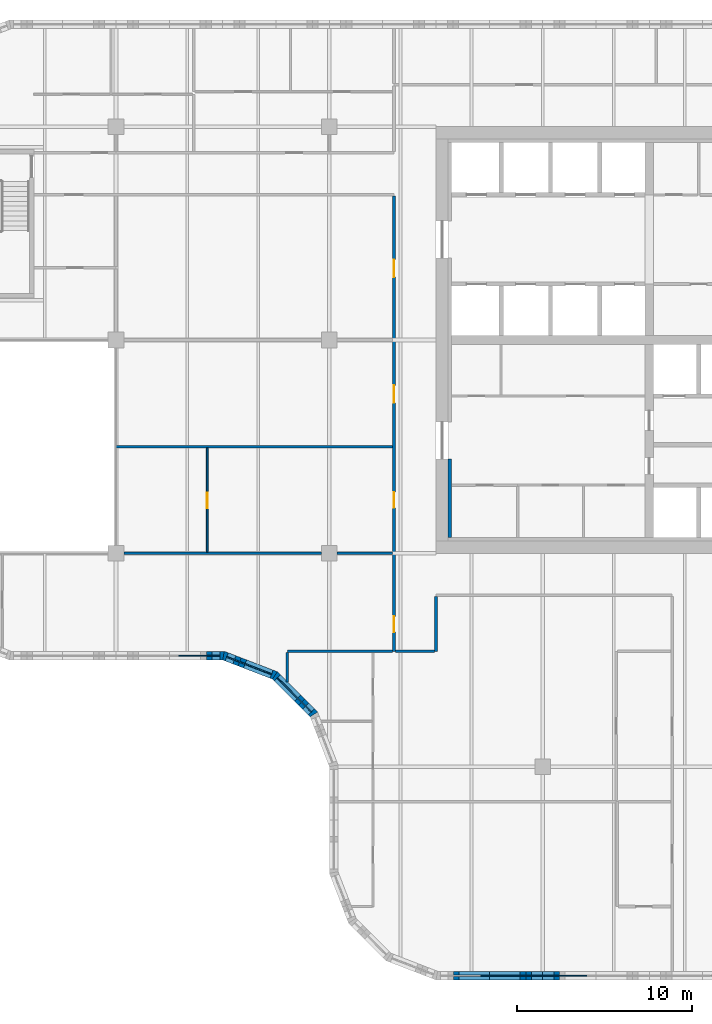
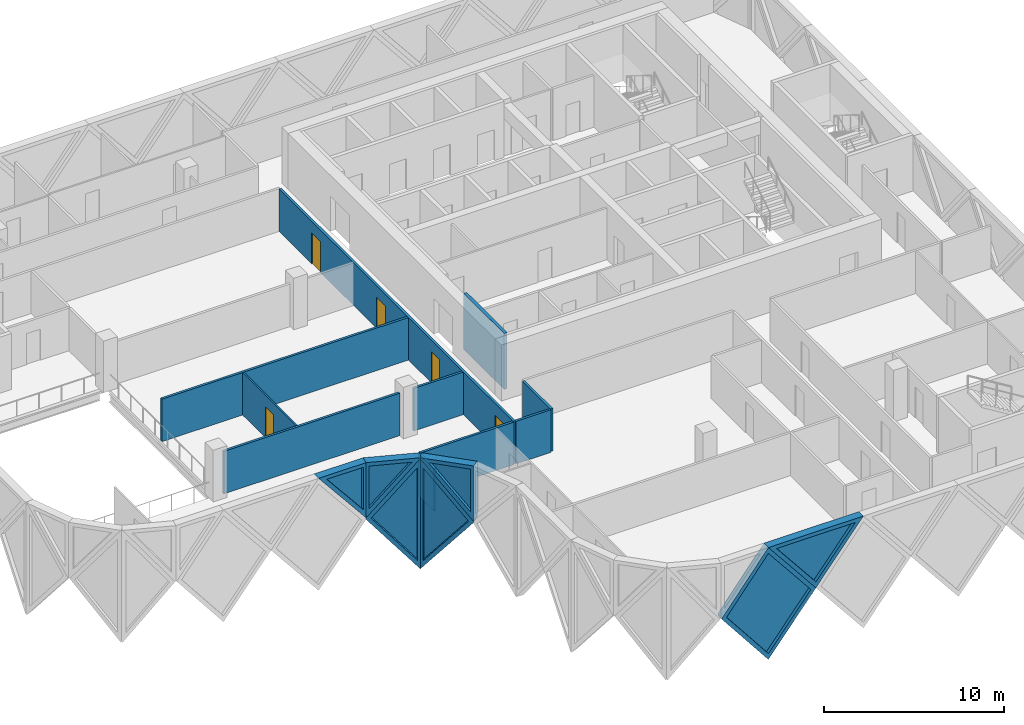
# One storey, part 5 of 15: 17 walls, 7 plates, 5 doors, 12 openings.
"""IFC4 building model written with IfcOpenShell, lengths in metres."""

from ifc_helpers import new_model, si_unit, direction, frame, frame_2d, origin, place, context, subcontext, project, spatial, polyline, rectangle, outline, extrude, faceted_brep, source, transform, mapped, material, layer, layer_set, type_object, element, fill, save


model = new_model("IFC4")

# Units and contexts
model_context = context("Model", 3, precision=1e-05, world=origin(), true_north=direction((0.0, 1.0)))
body_context = subcontext(model_context, "Body", "Model", "MODEL_VIEW")
ifc_project = project(units=[si_unit("LENGTHUNIT", "METRE"), si_unit("AREAUNIT", "SQUARE_METRE"), si_unit("VOLUMEUNIT", "CUBIC_METRE"), si_unit("PLANEANGLEUNIT", "RADIAN"), si_unit("MASSUNIT", "GRAM", prefix="KILO")], contexts=[model_context])

# Site, building, storey
site_placement = place(None, origin())
site = spatial("IfcSite", under=ifc_project, at=site_placement, CompositionType="ELEMENT")
building_placement = place(site_placement, origin())
building = spatial("IfcBuilding", under=site, at=building_placement, Name="Tessera Gate Towers", CompositionType="ELEMENT")
storey_placement = place(building_placement, frame((0.0, 0.0, 146.800048828125)))
storey = spatial("IfcBuildingStorey", under=building, at=storey_placement, Name="L36", CompositionType="ELEMENT", Elevation=146.800048828125)

# Wall
ifc_material_1 = material(Name="Concrete C60/75", Category="concrete")
ifc_layer_1 = layer(ifc_material_1, 0.199951171875)
ifc_layer_set_1 = layer_set([ifc_layer_1], Name="CORE WALL THICKENING 200")
wall_type_1 = type_object("IfcWallType", Name="CORE WALL THICKENING 200", PredefinedType="SOLIDWALL", material=ifc_layer_set_1)
wall_1_placement = place(storey_placement, frame((31.300048828125, 25.300048828125, 0.0), z_axis=(0.0, 0.0, 1.0), x_axis=(0.0, 1.0, 0.0)))
element("IfcWall", 1, at=wall_1_placement, inside=storey, type_object=wall_type_1, Name="Core wall thickening W L36", PredefinedType="SOLIDWALL", context=body_context, shape_type="SweptSolid", body=[
    extrude(rectangle(XDim=4.5, YDim=0.199951171875, at=frame_2d((2.25, 0.0))), origin(), (0.0, 0.0, 1.0), 3.800048828125),
])

# Wall, openings, doors
ifc_material_2 = material(Name="Gypsum board on steel studs, mineral wool", Category="steel")
ifc_layer_2 = layer(ifc_material_2, 0.14990234375)
ifc_layer_set_2 = layer_set([ifc_layer_2], Name="CORRIDOR WALL 150")
wall_type_2 = type_object("IfcWallType", Name="CORRIDOR WALL 150", PredefinedType="PARTITIONING", material=ifc_layer_set_2)
wall_2_placement = place(storey_placement, frame((28.10009765625, 18.800048828125, 0.0), z_axis=(0.0, 0.0, 1.0), x_axis=(0.0, 1.0, 0.0)))
wall_2 = element("IfcWall", 2, at=wall_2_placement, inside=storey, type_object=wall_type_2, Name="T1-L36-PW-022", PredefinedType="PARTITIONING", context=body_context, shape_type="SweptSolid", body=[
    extrude(rectangle(XDim=26.02392578125, YDim=0.14990234375, at=frame_2d((13.011962890625, 0.0))), origin(), (0.0, 0.0, 1.0), 2.887939453125),
])
shared_shape_1 = source(origin(), body_context, "Body", "SweptSolid", [
    extrude(rectangle(XDim=0.89990234375, YDim=2.10009765625, at=frame_2d((0.449951171875, 1.050048828125))), frame((0.0, 0.0849609375, 0.0), z_axis=(0.0, -1.0, 0.0), x_axis=(1.0, 0.0, 0.0)), (0.0, 0.0, 1.0), 0.169921875),
])
opening_1_placement = place(wall_2_placement, frame((1.10009765625, 0.0, 0.0)))
opening_1 = element("IfcOpeningElement", 3, at=opening_1_placement, cuts=wall_2, Name="Opening D890FD60-A13-01", PredefinedType="OPENING", context=body_context, shape_type="MappedRepresentation", body=[
    mapped(shared_shape_1, transform((0.0, 0.0, 0.0), scale=1.0)),
])
shared_shape_2 = source(origin(), body_context, "Body", "SweptSolid", [
    extrude(rectangle(XDim=1.0, YDim=2.10009765625, at=frame_2d((0.5, 1.050048828125))), frame((0.0, 0.0849609375, 0.0), z_axis=(0.0, -1.0, 0.0), x_axis=(1.0, 0.0, 0.0)), (0.0, 0.0, 1.0), 0.169921875),
])
opening_2_placement = place(wall_2_placement, frame((14.200927734375, 0.0, 0.0)))
opening_2 = element("IfcOpeningElement", 4, at=opening_2_placement, cuts=wall_2, Name="Opening D2100FD60-A13-03", PredefinedType="OPENING", context=body_context, shape_type="MappedRepresentation", body=[
    mapped(shared_shape_2, transform((0.0, 0.0, 0.0), scale=1.0)),
])
opening_3_placement = place(wall_2_placement, frame((8.199951171875, 0.0, 0.0)))
opening_3 = element("IfcOpeningElement", 5, at=opening_3_placement, cuts=wall_2, Name="Opening D890FD60-A13-02", PredefinedType="OPENING", context=body_context, shape_type="MappedRepresentation", body=[
    mapped(shared_shape_1, transform((0.0, 0.0, 0.0), scale=1.0)),
])
opening_4_placement = place(wall_2_placement, frame((21.39990234375, 0.0, 0.0)))
opening_4 = element("IfcOpeningElement", 6, at=opening_4_placement, cuts=wall_2, Name="Opening D2100FD60-A13-04", PredefinedType="OPENING", context=body_context, shape_type="MappedRepresentation", body=[
    mapped(shared_shape_2, transform((0.0, 0.0, 0.0), scale=1.0)),
])
ifc_material_3 = material(Name="Timber door leaf in steel frame", Category="steel")
door_type_1 = type_object("IfcDoorType", Name="CORRIDOR DOOR 900 FD60", OperationType="NOTDEFINED", PredefinedType="DOOR", material=ifc_material_3)
shared_shape_3 = source(origin(), body_context, "Body", "SweptSolid", [
    extrude(rectangle(XDim=0.89990234375, YDim=2.10009765625, at=frame_2d((0.449951171875, 1.050048828125))), frame((0.0, 0.02490234375, 0.0), z_axis=(0.0, -1.0, 0.0), x_axis=(1.0, 0.0, 0.0)), (0.0, 0.0, 1.0), 0.050048828125),
])
door_1_placement = place(opening_1_placement, origin())
door_1 = element("IfcDoor", 7, at=door_1_placement, inside=storey, type_object=door_type_1, Name="T1-L36-PD-001", OperationType="SINGLE_SWING_LEFT", OverallHeight=2.10009765625, OverallWidth=0.89990234375, PredefinedType="DOOR", context=body_context, shape_type="MappedRepresentation", body=[
    mapped(shared_shape_3, transform((0.0, 0.0, 0.0), scale=1.0)),
])
fill(opening_1, door_1)
door_2_placement = place(opening_3_placement, origin())
door_2 = element("IfcDoor", 8, at=door_2_placement, inside=storey, type_object=door_type_1, Name="T1-L36-PD-016", OperationType="SINGLE_SWING_LEFT", OverallHeight=2.10009765625, OverallWidth=0.89990234375, PredefinedType="DOOR", context=body_context, shape_type="MappedRepresentation", body=[
    mapped(shared_shape_3, transform((0.0, 0.0, 0.0), scale=1.0)),
])
fill(opening_3, door_2)
ifc_material_4 = material(Name="Timber door leaf in steel frame", Category="steel")
door_type_2 = type_object("IfcDoorType", Name="TENANCY ENTRANCE DOOR 1000 FD60", OperationType="NOTDEFINED", PredefinedType="DOOR", material=ifc_material_4)
shared_shape_4 = source(origin(), body_context, "Body", "SweptSolid", [
    extrude(rectangle(XDim=1.0, YDim=2.10009765625, at=frame_2d((0.5, 1.050048828125))), frame((0.0, 0.02490234375, 0.0), z_axis=(0.0, -1.0, 0.0), x_axis=(1.0, 0.0, 0.0)), (0.0, 0.0, 1.0), 0.050048828125),
])
door_3_placement = place(opening_2_placement, origin())
door_3 = element("IfcDoor", 9, at=door_3_placement, inside=storey, type_object=door_type_2, Name="T1-L36-PD-015", OperationType="SINGLE_SWING_LEFT", OverallHeight=2.10009765625, OverallWidth=1.0, PredefinedType="DOOR", context=body_context, shape_type="MappedRepresentation", body=[
    mapped(shared_shape_4, transform((0.0, 0.0, 0.0), scale=1.0)),
])
fill(opening_2, door_3)
door_4_placement = place(opening_4_placement, origin())
door_4 = element("IfcDoor", 10, at=door_4_placement, inside=storey, type_object=door_type_2, Name="T1-L36-PD-020", OperationType="SINGLE_SWING_LEFT", OverallHeight=2.10009765625, OverallWidth=1.0, PredefinedType="DOOR", context=body_context, shape_type="MappedRepresentation", body=[
    mapped(shared_shape_4, transform((0.0, 0.0, 0.0), scale=1.0)),
])
fill(opening_4, door_4)

# Walls
wall_3_placement = place(storey_placement, frame((28.176025390625, 18.800048828125, 0.0), z_axis=(0.0, 0.0, 1.0), x_axis=(1.0, 0.0, 0.0)))
element("IfcWall", 11, at=wall_3_placement, inside=storey, type_object=wall_type_2, Name="T1-L36-PW-023", PredefinedType="PARTITIONING", context=body_context, shape_type="SweptSolid", body=[
    extrude(rectangle(XDim=2.248046875, YDim=0.14990234375, at=frame_2d((1.1240234375, 0.0))), origin(), (0.0, 0.0, 1.0), 2.887939453125),
])
wall_4_placement = place(storey_placement, frame((30.5, 18.800048828125, 0.0), z_axis=(0.0, 0.0, 1.0), x_axis=(0.0, 1.0, 0.0)))
element("IfcWall", 12, at=wall_4_placement, inside=storey, type_object=wall_type_2, Name="T1-L36-PW-024", PredefinedType="PARTITIONING", context=body_context, shape_type="SweptSolid", body=[
    extrude(rectangle(XDim=3.1240234375, YDim=0.14990234375, at=frame_2d((1.56201171875, 0.0))), origin(), (0.0, 0.0, 1.0), 2.887939453125),
])

# Wall, opening, door
ifc_material_5 = material(Name="Gypsum board on steel studs", Category="steel")
ifc_layer_3 = layer(ifc_material_5, 0.10009765625)
ifc_layer_set_3 = layer_set([ifc_layer_3], Name="PARTITION 100")
wall_type_3 = type_object("IfcWallType", Name="PARTITION 100", PredefinedType="PARTITIONING", material=ifc_layer_set_3)
wall_5_placement = place(storey_placement, frame((17.425048828125, 24.47607421875, 0.0), z_axis=(0.0, 0.0, 1.0), x_axis=(0.0, 1.0, 0.0)))
wall_5 = element("IfcWall", 13, at=wall_5_placement, inside=storey, type_object=wall_type_3, Name="T1-L36-PW-033", PredefinedType="PARTITIONING", context=body_context, shape_type="SweptSolid", body=[
    extrude(rectangle(XDim=5.947998046875, YDim=0.10009765625, at=frame_2d((2.97412109375, 0.0))), origin(), (0.0, 0.0, 1.0), 2.887939453125),
])
shared_shape_5 = source(origin(), body_context, "Body", "SweptSolid", [
    extrude(rectangle(XDim=0.89990234375, YDim=2.10009765625, at=frame_2d((0.449951171875, 1.050048828125))), frame((0.0, 0.06005859375, 0.0), z_axis=(0.0, -1.0, 0.0), x_axis=(1.0, 0.0, 0.0)), (0.0, 0.0, 1.0), 0.1201171875),
])
opening_5_placement = place(wall_5_placement, frame((2.5, 0.0, 0.0)))
opening_5 = element("IfcOpeningElement", 14, at=opening_5_placement, cuts=wall_5, Name="Opening D190-A13-08", PredefinedType="OPENING", context=body_context, shape_type="MappedRepresentation", body=[
    mapped(shared_shape_5, transform((0.0, 0.0, 0.0), scale=1.0)),
])
ifc_material_6 = material(Name="Timber door leaf in steel frame", Category="steel")
door_type_3 = type_object("IfcDoorType", Name="INTERNAL DOOR 900 NOT RATED", OperationType="NOTDEFINED", PredefinedType="DOOR", material=ifc_material_6)
door_5_placement = place(opening_5_placement, origin())
door_5 = element("IfcDoor", 15, at=door_5_placement, inside=storey, type_object=door_type_3, Name="T1-L36-PD-013", OperationType="SINGLE_SWING_LEFT", OverallHeight=2.10009765625, OverallWidth=0.89990234375, PredefinedType="DOOR", context=body_context, shape_type="MappedRepresentation", body=[
    mapped(shared_shape_3, transform((0.0, 0.0, 0.0), scale=1.0)),
])
fill(opening_5, door_5)

# Walls
ifc_material_7 = material(Name="Gypsum board on steel studs, mineral wool", Category="steel")
ifc_layer_4 = layer(ifc_material_7, 0.14990234375)
ifc_layer_set_4 = layer_set([ifc_layer_4], Name="TENANCY WALL 150")
wall_type_4 = type_object("IfcWallType", Name="TENANCY WALL 150", PredefinedType="PARTITIONING", material=ifc_layer_set_4)
wall_6_placement = place(storey_placement, frame((22.0, 17.054931640625, 0.0), z_axis=(0.0, 0.0, 1.0), x_axis=(0.0, 1.0, 0.0)))
element("IfcWall", 16, at=wall_6_placement, inside=storey, type_object=wall_type_4, Name="T1-L36-PW-020", PredefinedType="PARTITIONING", context=body_context, shape_type="SweptSolid", body=[
    extrude(rectangle(XDim=1.669189453125, YDim=0.14990234375, at=frame_2d((0.83447265625, 0.0))), origin(), (0.0, 0.0, 1.0), 2.887939453125),
])
wall_7_placement = place(storey_placement, frame((22.0, 18.800048828125, 0.0), z_axis=(0.0, 0.0, 1.0), x_axis=(1.0, 0.0, 0.0)))
element("IfcWall", 17, at=wall_7_placement, inside=storey, type_object=wall_type_4, Name="T1-L36-PW-021", PredefinedType="PARTITIONING", context=body_context, shape_type="SweptSolid", body=[
    extrude(rectangle(XDim=6.02392578125, YDim=0.14990234375, at=frame_2d((3.011962890625, 0.0))), origin(), (0.0, 0.0, 1.0), 2.887939453125),
])
wall_8_placement = place(storey_placement, frame((12.65087890625, 24.39990234375, 0.0), z_axis=(0.0, 0.0, 1.0), x_axis=(1.0, 0.0, 0.0)))
element("IfcWall", 18, at=wall_8_placement, inside=storey, type_object=wall_type_4, Name="T1-L36-PW-031", PredefinedType="PARTITIONING", context=body_context, shape_type="SweptSolid", body=[
    extrude(rectangle(XDim=11.298095703125, YDim=0.14990234375, at=frame_2d((5.64892578125, 0.0))), origin(), (0.0, 0.0, 1.0), 2.887939453125),
])
wall_9_placement = place(storey_placement, frame((24.85107421875, 24.39990234375, 0.0), z_axis=(0.0, 0.0, 1.0), x_axis=(1.0, 0.0, 0.0)))
element("IfcWall", 19, at=wall_9_placement, inside=storey, type_object=wall_type_4, Name="T1-L36-PW-032", PredefinedType="PARTITIONING", context=body_context, shape_type="SweptSolid", body=[
    extrude(rectangle(XDim=3.1728515625, YDim=0.14990234375, at=frame_2d((1.58642578125, 0.0))), origin(), (0.0, 0.0, 1.0), 2.887939453125),
])
wall_10_placement = place(storey_placement, frame((12.199951171875, 30.5, 0.0), z_axis=(0.0, 0.0, 1.0), x_axis=(1.0, 0.0, 0.0)))
element("IfcWall", 20, at=wall_10_placement, inside=storey, type_object=wall_type_4, Name="T1-L36-PW-034", PredefinedType="PARTITIONING", context=body_context, shape_type="SweptSolid", body=[
    extrude(rectangle(XDim=15.823974609375, YDim=0.14990234375, at=frame_2d((7.912109375, 0.0))), origin(), (0.0, 0.0, 1.0), 2.887939453125),
])

# Wall, opening, plate
ifc_material_8 = material(Name="Precast concrete C60/75 white", Category="concrete")
ifc_layer_5 = layer(ifc_material_8, 0.5)
ifc_layer_set_5 = layer_set([ifc_layer_5], Name="TS1 tessera")
wall_type_5 = type_object("IfcWallType", Name="TS1 tessera", PredefinedType="SOLIDWALL", material=ifc_layer_set_5)
shared_shape_6 = source(origin(), body_context, "Body", "Brep", [
    faceted_brep([(3.00341796875, -0.25, 0.0), (6.053466796875, -0.25, 3.800048828125), (3.00341796875, -0.25, 7.60009765625), (0.0, -0.25, 3.800048828125), (0.046630859375, 0.25, 3.85888671875), (3.00341796875, 0.25, 7.60009765625), (6.053466796875, 0.25, 3.800048828125), (3.00341796875, 0.25, 0.0), (0.046630859375, 0.25, 3.7412109375), (0.0, 0.0, 3.800048828125)], [[[0, 1, 2, 3]], [[4, 5, 6, 7, 8]], [[7, 6, 1, 0]], [[6, 5, 2, 1]], [[5, 4, 9, 3, 2]], [[8, 7, 0, 3, 9]], [[8, 9, 4]]]),
])
wall_11_placement = place(storey_placement, frame((30.546630859375, 0.25, -3.800048828125), z_axis=(0.0, 0.0, 1.0), x_axis=(1.0, 0.0, 0.0)))
wall_11 = element("IfcWall", 21, at=wall_11_placement, inside=storey, type_object=wall_type_5, Name="Precast tessera T1 TS1-0621", PredefinedType="SOLIDWALL", context=body_context, shape_type="MappedRepresentation", body=[
    mapped(shared_shape_6, transform((0.0, 0.0, 0.0), scale=1.0)),
])
shared_shape_7 = source(origin(), body_context, "Body", "SweptSolid", [
    extrude(outline(polyline([(3.0048828125, 0.4013671875), (5.73291015625, 3.800048828125), (3.0048828125, 7.19873046875), (0.318603515625, 3.800048828125), (3.0048828125, 0.4013671875)])), frame((0.0, 0.260009765625, 0.0), z_axis=(0.0, -1.0, 0.0), x_axis=(1.0, 0.0, 0.0)), (0.0, 0.0, 1.0), 0.52001953125),
])
opening_6_placement = place(wall_11_placement, origin())
opening_6 = element("IfcOpeningElement", 22, at=opening_6_placement, cuts=wall_11, Name="Opening T1-PL2-1269", PredefinedType="OPENING", context=body_context, shape_type="MappedRepresentation", body=[
    mapped(shared_shape_7, transform((0.0, 0.0, 0.0), scale=1.0)),
])
ifc_material_9 = material(Name="Low-e laminated glass", Category="glass")
ifc_layer_6 = layer(ifc_material_9, 0.06005859375)
ifc_layer_set_6 = layer_set([ifc_layer_6], Name="PL2 rhombic pane")
plate_type_1 = type_object("IfcPlateType", Name="PL2 rhombic pane", PredefinedType="SHEET", material=ifc_layer_set_6)
shared_shape_8 = source(origin(), body_context, "Body", "SweptSolid", [
    extrude(outline(polyline([(3.0048828125, 0.4013671875), (5.73291015625, 3.800048828125), (3.0048828125, 7.19873046875), (0.318603515625, 3.800048828125), (3.0048828125, 0.4013671875)])), frame((0.0, 0.030029296875, 0.0), z_axis=(0.0, -1.0, 0.0), x_axis=(1.0, 0.0, 0.0)), (0.0, 0.0, 1.0), 0.06005859375),
])
plate_1_placement = place(opening_6_placement, origin())
plate_1 = element("IfcPlate", 23, at=plate_1_placement, inside=storey, type_object=plate_type_1, Name="Glass pane T1 PL2-1269", PredefinedType="SHEET", context=body_context, shape_type="MappedRepresentation", body=[
    mapped(shared_shape_8, transform((0.0, 0.0, 0.0), scale=1.0)),
])
fill(opening_6, plate_1)

ifc_material_10 = material(Name="Precast concrete C60/75 white", Category="concrete")
ifc_layer_7 = layer(ifc_material_10, 0.5)
ifc_layer_set_7 = layer_set([ifc_layer_7], Name="TS3 corner tessera")
wall_type_6 = type_object("IfcWallType", Name="TS3 corner tessera", PredefinedType="SOLIDWALL", material=ifc_layer_set_7)
shared_shape_9 = source(origin(), body_context, "Body", "Brep", [
    faceted_brep([(3.096435546875, -0.25, 7.536376953125), (0.046630859375, -0.25, 3.856201171875), (0.046630859375, -0.25, 3.743896484375), (3.096435546875, -0.25, 0.063720703125), (0.0, 0.25, 3.800048828125), (3.1494140625, 0.25, 7.60009765625), (3.202392578125, 0.25, 7.536376953125), (3.202392578125, 0.25, 0.063720703125), (3.1494140625, 0.25, 0.0), (3.1494140625, -0.000244140625, 0.0), (3.1494140625, -0.000244140625, 7.60009765625), (0.0, 0.0, 3.800048828125)], [[[0, 1, 2, 3]], [[4, 5, 6, 7, 8]], [[8, 7, 9]], [[6, 5, 10]], [[5, 4, 11, 1, 0, 10]], [[4, 8, 9, 3, 2, 11]], [[11, 2, 1]], [[3, 9, 7, 6, 10, 0]]]),
])
wall_12_placement = place(storey_placement, frame((18.346435546875, 18.550048828125, -3.800048828125), z_axis=(0.0, 0.0, 1.0), x_axis=(0.932985567668, -0.359913782069, 0.0)))
wall_12 = element("IfcWall", 24, at=wall_12_placement, inside=storey, type_object=wall_type_6, Name="Precast corner tessera T1 TS3-0833", PredefinedType="SOLIDWALL", context=body_context, shape_type="MappedRepresentation", body=[
    mapped(shared_shape_9, transform((0.0, 0.0, 0.0), scale=1.0)),
])
shared_shape_10 = source(origin(), body_context, "Body", "SweptSolid", [
    extrude(outline(polyline([(2.949462890625, 6.966796875), (0.32470703125, 3.800048828125), (2.949462890625, 0.633056640625), (2.949462890625, 6.966796875)])), frame((0.0, 0.260009765625, 0.0), z_axis=(0.0, -1.0, 0.0), x_axis=(1.0, 0.0, 0.0)), (0.0, 0.0, 1.0), 0.52001953125),
])
opening_7_placement = place(wall_12_placement, origin())
opening_7 = element("IfcOpeningElement", 25, at=opening_7_placement, cuts=wall_12, Name="Opening T1-PL2-1308", PredefinedType="OPENING", context=body_context, shape_type="MappedRepresentation", body=[
    mapped(shared_shape_10, transform((0.0, 0.0, 0.0), scale=1.0)),
])
shared_shape_11 = source(origin(), body_context, "Body", "SweptSolid", [
    extrude(outline(polyline([(2.949462890625, 6.966796875), (0.32470703125, 3.800048828125), (2.949462890625, 0.633056640625), (2.949462890625, 6.966796875)])), frame((0.0, 0.030029296875, 0.0), z_axis=(0.0, -1.0, 0.0), x_axis=(1.0, 0.0, 0.0)), (0.0, 0.0, 1.0), 0.06005859375),
])
plate_2_placement = place(opening_7_placement, origin())
plate_2 = element("IfcPlate", 26, at=plate_2_placement, inside=storey, type_object=plate_type_1, Name="Glass pane T1 PL2-1308", PredefinedType="SHEET", context=body_context, shape_type="MappedRepresentation", body=[
    mapped(shared_shape_11, transform((0.0, 0.0, 0.0), scale=1.0)),
])
fill(opening_7, plate_2)

shared_shape_12 = source(origin(), body_context, "Body", "Brep", [
    faceted_brep([(0.10595703125, -0.25, 0.063720703125), (3.156005859375, -0.25, 3.736328125), (3.156005859375, -0.25, 3.86376953125), (0.10595703125, -0.25, 7.536376953125), (0.0, 0.25, 7.5361328125), (0.052978515625, 0.25, 7.60009765625), (3.208740234375, 0.25, 3.800048828125), (0.052978515625, 0.25, 0.0), (0.0, 0.25, 0.06396484375), (3.208740234375, -0.00048828125, 3.800048828125), (0.052978515625, 0.0, 0.0), (0.052978515625, 0.0, 7.60009765625)], [[[0, 1, 2, 3]], [[4, 5, 6, 7, 8]], [[7, 6, 9, 1, 0, 10]], [[6, 5, 11, 3, 2, 9]], [[5, 4, 11]], [[8, 7, 10]], [[8, 10, 0, 3, 11, 4]], [[1, 9, 2]]]),
])
wall_13_placement = place(storey_placement, frame((21.24755859375, 17.453857421875, -3.800048828125), z_axis=(0.0, 0.0, 1.0), x_axis=(0.707106781187, -0.707106781187, 0.0)))
wall_13 = element("IfcWall", 27, at=wall_13_placement, inside=storey, type_object=wall_type_6, Name="Precast corner tessera T1 TS3-0834", PredefinedType="SOLIDWALL", context=body_context, shape_type="MappedRepresentation", body=[
    mapped(shared_shape_12, transform((0.0, 0.0, 0.0), scale=1.0)),
])
shared_shape_13 = source(origin(), body_context, "Body", "SweptSolid", [
    extrude(outline(polyline([(0.2529296875, 0.632080078125), (2.8837890625, 3.800048828125), (0.2529296875, 6.9677734375), (0.2529296875, 0.632080078125)])), frame((0.0, 0.260009765625, 0.0), z_axis=(0.0, -1.0, 0.0), x_axis=(1.0, 0.0, 0.0)), (0.0, 0.0, 1.0), 0.52001953125),
])
opening_8_placement = place(wall_13_placement, origin())
opening_8 = element("IfcOpeningElement", 28, at=opening_8_placement, cuts=wall_13, Name="Opening T1-PL2-1309", PredefinedType="OPENING", context=body_context, shape_type="MappedRepresentation", body=[
    mapped(shared_shape_13, transform((0.0, 0.0, 0.0), scale=1.0)),
])
shared_shape_14 = source(origin(), body_context, "Body", "SweptSolid", [
    extrude(outline(polyline([(0.2529296875, 0.632080078125), (2.8837890625, 3.800048828125), (0.2529296875, 6.9677734375), (0.2529296875, 0.632080078125)])), frame((0.0, 0.030029296875, 0.0), z_axis=(0.0, -1.0, 0.0), x_axis=(1.0, 0.0, 0.0)), (0.0, 0.0, 1.0), 0.06005859375),
])
plate_3_placement = place(opening_8_placement, origin())
plate_3 = element("IfcPlate", 29, at=plate_3_placement, inside=storey, type_object=plate_type_1, Name="Glass pane T1 PL2-1309", PredefinedType="SHEET", context=body_context, shape_type="MappedRepresentation", body=[
    mapped(shared_shape_14, transform((0.0, 0.0, 0.0), scale=1.0)),
])
fill(opening_8, plate_3)

ifc_material_11 = material(Name="Precast concrete C60/75 white", Category="concrete")
ifc_layer_8 = layer(ifc_material_11, 0.5)
ifc_layer_set_8 = layer_set([ifc_layer_8], Name="TS2 half tessera")
wall_type_7 = type_object("IfcWallType", Name="TS2 half tessera", PredefinedType="SOLIDWALL", material=ifc_layer_set_8)
shared_shape_15 = source(origin(), body_context, "Body", "Brep", [
    faceted_brep([(3.050048828125, -0.25, 0.0), (6.099853515625, -0.25, 3.7998046875), (6.099853515625, -0.25, 3.800048828125), (0.0, -0.25, 3.800048828125), (0.0, 0.25, 3.800048828125), (6.099853515625, 0.25, 3.800048828125), (6.099853515625, 0.25, 3.7998046875), (3.050048828125, 0.25, 0.0)], [[[0, 1, 2, 3]], [[4, 5, 6, 7]], [[7, 6, 1, 0]], [[5, 4, 3, 2]], [[4, 7, 0, 3]], [[1, 6, 5, 2]]]),
])
wall_14_placement = place(storey_placement, frame((33.550048828125, 0.25, 0.0), z_axis=(0.0, 0.0, 1.0), x_axis=(1.0, 0.0, 0.0)))
wall_14 = element("IfcWall", 30, at=wall_14_placement, inside=storey, type_object=wall_type_7, Name="Precast half tessera T1 TS2-0161", PredefinedType="SOLIDWALL", context=body_context, shape_type="MappedRepresentation", body=[
    mapped(shared_shape_15, transform((0.0, 0.0, 0.0), scale=1.0)),
])
shared_shape_16 = source(origin(), body_context, "Body", "SweptSolid", [
    extrude(outline(polyline([(3.050048828125, 0.3994140625), (5.578857421875, 3.550048828125), (0.521240234375, 3.550048828125), (3.050048828125, 0.3994140625)])), frame((0.0, 0.260009765625, 0.0), z_axis=(0.0, -1.0, 0.0), x_axis=(1.0, 0.0, 0.0)), (0.0, 0.0, 1.0), 0.52001953125),
])
opening_9_placement = place(wall_14_placement, origin())
opening_9 = element("IfcOpeningElement", 31, at=opening_9_placement, cuts=wall_14, Name="Opening T1-PL1-0331", PredefinedType="OPENING", context=body_context, shape_type="MappedRepresentation", body=[
    mapped(shared_shape_16, transform((0.0, 0.0, 0.0), scale=1.0)),
])
ifc_material_12 = material(Name="Low-e laminated glass", Category="glass")
ifc_layer_9 = layer(ifc_material_12, 0.06005859375)
ifc_layer_set_9 = layer_set([ifc_layer_9], Name="PL1 triangular pane")
plate_type_2 = type_object("IfcPlateType", Name="PL1 triangular pane", PredefinedType="SHEET", material=ifc_layer_set_9)
shared_shape_17 = source(origin(), body_context, "Body", "SweptSolid", [
    extrude(outline(polyline([(3.050048828125, 0.3994140625), (5.578857421875, 3.550048828125), (0.521240234375, 3.550048828125), (3.050048828125, 0.3994140625)])), frame((0.0, 0.030029296875, 0.0), z_axis=(0.0, -1.0, 0.0), x_axis=(1.0, 0.0, 0.0)), (0.0, 0.0, 1.0), 0.06005859375),
])
plate_4_placement = place(opening_9_placement, origin())
plate_4 = element("IfcPlate", 32, at=plate_4_placement, inside=storey, type_object=plate_type_2, Name="Glass pane T1 PL1-0331", PredefinedType="SHEET", context=body_context, shape_type="MappedRepresentation", body=[
    mapped(shared_shape_17, transform((0.0, 0.0, 0.0), scale=1.0)),
])
fill(opening_9, plate_4)

shared_shape_18 = source(origin(), body_context, "Body", "Brep", [
    faceted_brep([(3.050048828125, -0.25, 3.800048828125), (0.0, -0.25, 3.800048828125), (3.050048828125, -0.25, 0.056884765625), (0.0, 0.25, 3.800048828125), (3.14306640625, 0.25, 3.800048828125), (3.14306640625, 0.25, 0.056396484375), (3.096435546875, 0.25, 0.0), (3.096435546875, -0.00048828125, 0.0)], [[[0, 1, 2]], [[3, 4, 5, 6]], [[6, 5, 7]], [[4, 3, 1, 0]], [[3, 6, 7, 2, 1]], [[2, 7, 5, 4, 0]]]),
])
wall_15_placement = place(storey_placement, frame((15.25, 18.550048828125, 0.0), z_axis=(0.0, 0.0, 1.0), x_axis=(1.0, 0.0, 0.0)))
wall_15 = element("IfcWall", 33, at=wall_15_placement, inside=storey, type_object=wall_type_6, Name="Precast corner tessera T1 TS3-0859", PredefinedType="SOLIDWALL", context=body_context, shape_type="MappedRepresentation", body=[
    mapped(shared_shape_18, transform((0.0, 0.0, 0.0), scale=1.0)),
])
shared_shape_19 = source(origin(), body_context, "Body", "SweptSolid", [
    extrude(outline(polyline([(2.896484375, 3.550048828125), (0.526123046875, 3.550048828125), (2.896484375, 0.64111328125), (2.896484375, 3.550048828125)])), frame((0.0, 0.260009765625, 0.0), z_axis=(0.0, -1.0, 0.0), x_axis=(1.0, 0.0, 0.0)), (0.0, 0.0, 1.0), 0.52001953125),
])
opening_10_placement = place(wall_15_placement, origin())
opening_10 = element("IfcOpeningElement", 34, at=opening_10_placement, cuts=wall_15, Name="Opening T1-PL1-0369", PredefinedType="OPENING", context=body_context, shape_type="MappedRepresentation", body=[
    mapped(shared_shape_19, transform((0.0, 0.0, 0.0), scale=1.0)),
])
shared_shape_20 = source(origin(), body_context, "Body", "SweptSolid", [
    extrude(outline(polyline([(2.896484375, 3.550048828125), (0.526123046875, 3.550048828125), (2.896484375, 0.64111328125), (2.896484375, 3.550048828125)])), frame((0.0, 0.030029296875, 0.0), z_axis=(0.0, -1.0, 0.0), x_axis=(1.0, 0.0, 0.0)), (0.0, 0.0, 1.0), 0.06005859375),
])
plate_5_placement = place(opening_10_placement, origin())
plate_5 = element("IfcPlate", 35, at=plate_5_placement, inside=storey, type_object=plate_type_2, Name="Glass pane T1 PL1-0369", PredefinedType="SHEET", context=body_context, shape_type="MappedRepresentation", body=[
    mapped(shared_shape_20, transform((0.0, 0.0, 0.0), scale=1.0)),
])
fill(opening_10, plate_5)

shared_shape_21 = source(origin(), body_context, "Body", "Brep", [
    faceted_brep([(0.09326171875, -0.25, 0.05615234375), (3.14306640625, -0.25, 3.736328125), (3.14306640625, -0.25, 3.800048828125), (0.09326171875, -0.25, 3.800048828125), (0.0, 0.25, 3.800048828125), (3.196044921875, 0.25, 3.800048828125), (0.046630859375, 0.25, 0.0), (0.0, 0.25, 0.05712890625), (3.196044921875, -0.000244140625, 3.800048828125), (0.046630859375, 0.0, 0.0)], [[[0, 1, 2, 3]], [[4, 5, 6, 7]], [[6, 5, 8, 1, 0, 9]], [[5, 4, 3, 2, 8]], [[7, 6, 9]], [[7, 9, 0, 3, 4]], [[1, 8, 2]]]),
])
wall_16_placement = place(storey_placement, frame((18.302978515625, 18.56689453125, 0.0), z_axis=(0.0, 0.0, 1.0), x_axis=(0.932978940178, -0.359930961693, 0.0)))
wall_16 = element("IfcWall", 36, at=wall_16_placement, inside=storey, type_object=wall_type_6, Name="Precast corner tessera T1 TS3-0860", PredefinedType="SOLIDWALL", context=body_context, shape_type="MappedRepresentation", body=[
    mapped(shared_shape_21, transform((0.0, 0.0, 0.0), scale=1.0)),
])
shared_shape_22 = source(origin(), body_context, "Body", "SweptSolid", [
    extrude(outline(polyline([(0.24658203125, 0.633056640625), (2.664306640625, 3.550048828125), (0.24658203125, 3.550048828125), (0.24658203125, 0.633056640625)])), frame((0.0, 0.260009765625, 0.0), z_axis=(0.0, -1.0, 0.0), x_axis=(1.0, 0.0, 0.0)), (0.0, 0.0, 1.0), 0.52001953125),
])
opening_11_placement = place(wall_16_placement, origin())
opening_11 = element("IfcOpeningElement", 37, at=opening_11_placement, cuts=wall_16, Name="Opening T1-PL1-0370", PredefinedType="OPENING", context=body_context, shape_type="MappedRepresentation", body=[
    mapped(shared_shape_22, transform((0.0, 0.0, 0.0), scale=1.0)),
])
shared_shape_23 = source(origin(), body_context, "Body", "SweptSolid", [
    extrude(outline(polyline([(0.24658203125, 0.633056640625), (2.664306640625, 3.550048828125), (0.24658203125, 3.550048828125), (0.24658203125, 0.633056640625)])), frame((0.0, 0.030029296875, 0.0), z_axis=(0.0, -1.0, 0.0), x_axis=(1.0, 0.0, 0.0)), (0.0, 0.0, 1.0), 0.06005859375),
])
plate_6_placement = place(opening_11_placement, origin())
plate_6 = element("IfcPlate", 38, at=plate_6_placement, inside=storey, type_object=plate_type_2, Name="Glass pane T1 PL1-0370", PredefinedType="SHEET", context=body_context, shape_type="MappedRepresentation", body=[
    mapped(shared_shape_23, transform((0.0, 0.0, 0.0), scale=1.0)),
])
fill(opening_11, plate_6)

shared_shape_24 = source(origin(), body_context, "Body", "Brep", [
    faceted_brep([(3.10302734375, -0.25, 3.800048828125), (0.052978515625, -0.25, 3.800048828125), (0.052978515625, -0.25, 3.736328125), (3.10302734375, -0.25, 0.063720703125), (0.0, 0.25, 3.800048828125), (3.208740234375, 0.25, 3.800048828125), (3.208740234375, 0.25, 0.06396484375), (3.15576171875, 0.25, 0.0), (3.15576171875, -0.00048828125, 0.0), (0.0, 0.0, 3.800048828125)], [[[0, 1, 2, 3]], [[4, 5, 6, 7]], [[7, 6, 8]], [[5, 4, 9, 1, 0]], [[4, 7, 8, 3, 2, 9]], [[2, 1, 9]], [[3, 8, 6, 5, 0]]]),
])
wall_17_placement = place(storey_placement, frame((21.284912109375, 17.41650390625, 0.0), z_axis=(0.0, 0.0, 1.0), x_axis=(0.707106781187, -0.707106781187, 0.0)))
wall_17 = element("IfcWall", 39, at=wall_17_placement, inside=storey, type_object=wall_type_6, Name="Precast corner tessera T1 TS3-0861", PredefinedType="SOLIDWALL", context=body_context, shape_type="MappedRepresentation", body=[
    mapped(shared_shape_24, transform((0.0, 0.0, 0.0), scale=1.0)),
])
shared_shape_25 = source(origin(), body_context, "Body", "SweptSolid", [
    extrude(outline(polyline([(2.955810546875, 3.550048828125), (0.53271484375, 3.550048828125), (2.955810546875, 0.632080078125), (2.955810546875, 3.550048828125)])), frame((0.0, 0.260009765625, 0.0), z_axis=(0.0, -1.0, 0.0), x_axis=(1.0, 0.0, 0.0)), (0.0, 0.0, 1.0), 0.52001953125),
])
opening_12_placement = place(wall_17_placement, origin())
opening_12 = element("IfcOpeningElement", 40, at=opening_12_placement, cuts=wall_17, Name="Opening T1-PL1-0371", PredefinedType="OPENING", context=body_context, shape_type="MappedRepresentation", body=[
    mapped(shared_shape_25, transform((0.0, 0.0, 0.0), scale=1.0)),
])
shared_shape_26 = source(origin(), body_context, "Body", "SweptSolid", [
    extrude(outline(polyline([(2.955810546875, 3.550048828125), (0.53271484375, 3.550048828125), (2.955810546875, 0.632080078125), (2.955810546875, 3.550048828125)])), frame((0.0, 0.030029296875, 0.0), z_axis=(0.0, -1.0, 0.0), x_axis=(1.0, 0.0, 0.0)), (0.0, 0.0, 1.0), 0.06005859375),
])
plate_7_placement = place(opening_12_placement, origin())
plate_7 = element("IfcPlate", 41, at=plate_7_placement, inside=storey, type_object=plate_type_2, Name="Glass pane T1 PL1-0371", PredefinedType="SHEET", context=body_context, shape_type="MappedRepresentation", body=[
    mapped(shared_shape_26, transform((0.0, 0.0, 0.0), scale=1.0)),
])
fill(opening_12, plate_7)

save(model, "model.ifc")
